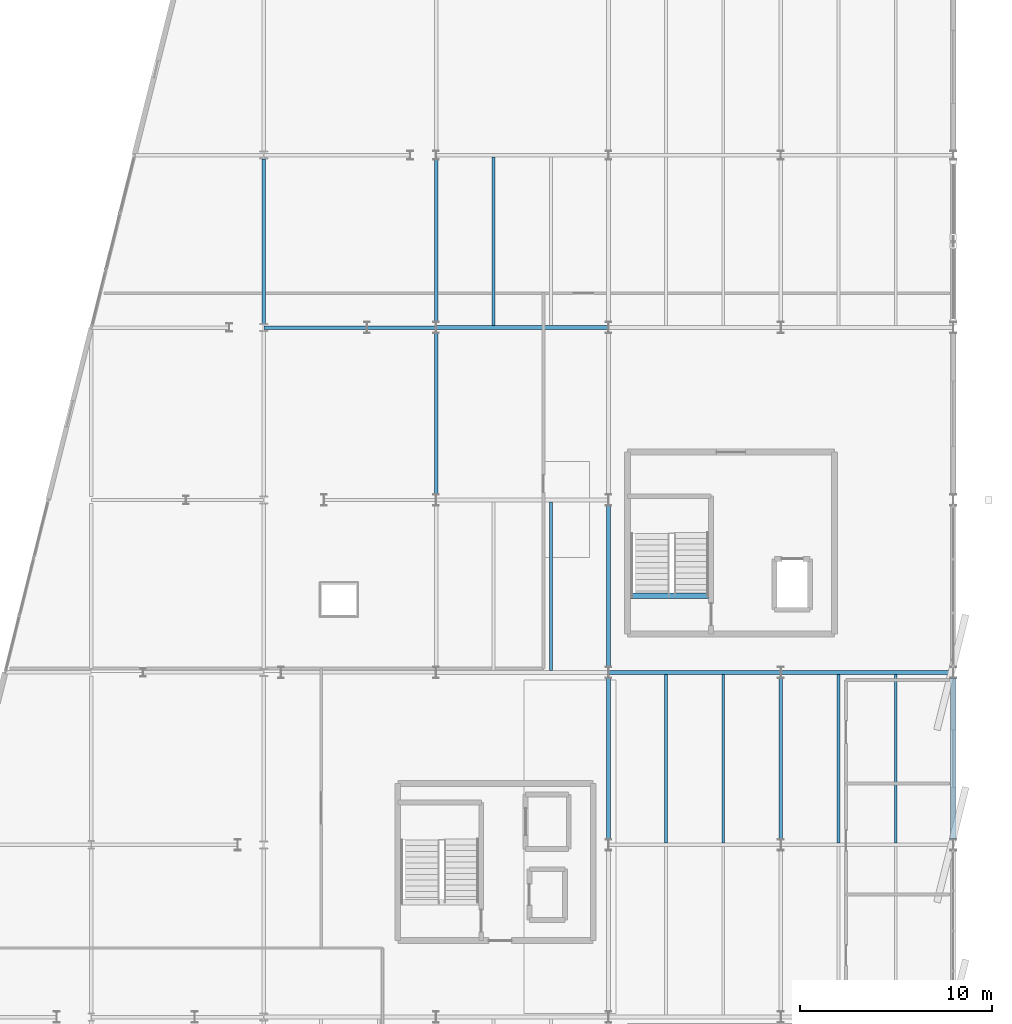
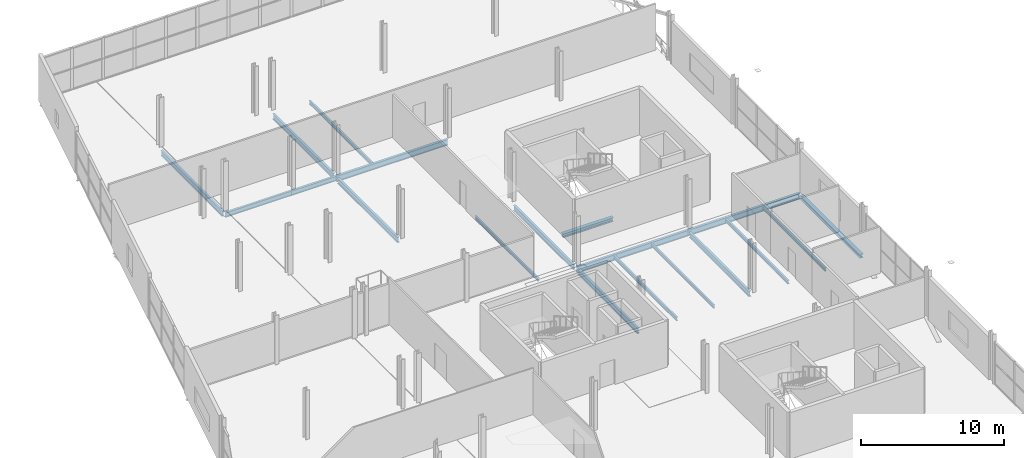
# One storey, part 56 of 88: 19 beams.
"""IFC4 building model written with IfcOpenShell, lengths in metres."""

from ifc_helpers import new_model, si_unit, direction, frame, origin, origin_2d, place, context, subcontext, project, spatial, i_section, extrude, material, material_profile, profile_set, type_object, element, save


model = new_model("IFC4")

# Units and contexts
model_context = context("Model", 3, precision=1e-05, world=origin(), true_north=direction((0.0, 1.0)))
body_context = subcontext(model_context, "Body", "Model", "MODEL_VIEW")
ifc_project = project(units=[si_unit("LENGTHUNIT", "METRE"), si_unit("AREAUNIT", "SQUARE_METRE"), si_unit("VOLUMEUNIT", "CUBIC_METRE"), si_unit("PLANEANGLEUNIT", "RADIAN"), si_unit("MASSUNIT", "GRAM", prefix="KILO")], contexts=[model_context])

# Site, building, storey
site_placement = place(None, origin())
site = spatial("IfcSite", under=ifc_project, at=site_placement, CompositionType="ELEMENT")
building_placement = place(site_placement, origin())
building = spatial("IfcBuilding", under=site, at=building_placement, Name="Deido Ridge Mobility Hub", CompositionType="ELEMENT")
storey_placement = place(building_placement, frame((0.0, 0.0, 16.800048828125)))
storey = spatial("IfcBuildingStorey", under=building, at=storey_placement, Name="L04", CompositionType="ELEMENT", Elevation=16.800048828125)

# Beams
ifc_material = material(Name="Steel S355J2 EN 10025-2", Category="steel")
ifc_material_profile_1 = material_profile(ifc_material, i_section(OverallWidth=0.300048828125, OverallDepth=0.330078125, WebThickness=0.009521484375, FlangeThickness=0.0166015625, FilletRadius=0.027099609375, at=origin_2d()), Name="HEA 340")
ifc_profile_set_1 = profile_set([ifc_material_profile_1], Name="Steel S355J2 EN 10025-2")
beam_type_1 = type_object("IfcBeamType", Name="BM-HEA340", PredefinedType="BEAM", material=ifc_profile_set_1)
beam_1_placement = place(storey_placement, frame((163.16259765625, 40.0, -0.43994140625), z_axis=(1.0, 0.0, 0.0), x_axis=(0.0, 1.0, 0.0)))
element("IfcBeam", 1, at=beam_1_placement, inside=storey, type_object=beam_type_1, Name="C2 stair landing trimmer beam B6", PredefinedType="BEAM", context=body_context, shape_type="SweptSolid", body=[
    extrude(i_section(OverallWidth=0.300048828125, OverallDepth=0.330078125, WebThickness=0.009521484375, FlangeThickness=0.0166015625, FilletRadius=0.027099609375, at=origin_2d()), origin(), (0.0, 0.0, 1.0), 4.072509765625),
])
ifc_material_profile_2 = material_profile(ifc_material, i_section(OverallWidth=0.179931640625, OverallDepth=0.39990234375, WebThickness=0.008544921875, FlangeThickness=0.013427734375, FilletRadius=0.02099609375, at=origin_2d()), Name="IPE 400")
ifc_profile_set_2 = profile_set([ifc_material_profile_2], Name="Steel S355J2 EN 10025-2")
beam_type_2 = type_object("IfcBeamType", Name="BM-IPE400", PredefinedType="BEAM", material=ifc_profile_set_2)
beam_2_placement = place(storey_placement, frame((144.0087890625, 54.0, -0.47509765625), z_axis=(1.0, 0.0, 0.0), x_axis=(0.0, 1.0, 0.0)))
element("IfcBeam", 2, at=beam_2_placement, inside=storey, type_object=beam_type_2, Name="Floor beam B5", PredefinedType="BEAM", context=body_context, shape_type="SweptSolid", body=[
    extrude(i_section(OverallWidth=0.179931640625, OverallDepth=0.39990234375, WebThickness=0.008544921875, FlangeThickness=0.013427734375, FilletRadius=0.02099609375, at=origin_2d()), origin(), (0.0, 0.0, 1.0), 5.383544921875),
])
beam_3_placement = place(storey_placement, frame((149.40771484375, 54.0, -0.47509765625), z_axis=(1.0, 0.0, 0.0), x_axis=(0.0, 1.0, 0.0)))
element("IfcBeam", 3, at=beam_3_placement, inside=storey, type_object=beam_type_2, Name="Floor beam B5", PredefinedType="BEAM", context=body_context, shape_type="SweptSolid", body=[
    extrude(i_section(OverallWidth=0.179931640625, OverallDepth=0.39990234375, WebThickness=0.008544921875, FlangeThickness=0.013427734375, FilletRadius=0.02099609375, at=origin_2d()), origin(), (0.0, 0.0, 1.0), 3.58447265625),
])
ifc_material_profile_3 = material_profile(ifc_material, i_section(OverallWidth=0.18994140625, OverallDepth=0.449951171875, WebThickness=0.009521484375, FlangeThickness=0.0146484375, FilletRadius=0.02099609375, at=origin_2d()), Name="IPE 450")
ifc_profile_set_3 = profile_set([ifc_material_profile_3], Name="Steel S355J2 EN 10025-2")
beam_type_3 = type_object("IfcBeamType", Name="BM-IPE450", PredefinedType="BEAM", material=ifc_profile_set_3)
beam_4_placement = place(storey_placement, frame((144.0, 54.196533203125, -0.5), z_axis=(0.0, 1.0, 0.0), x_axis=(-1.0, 0.0, 0.0)))
element("IfcBeam", 4, at=beam_4_placement, inside=storey, type_object=beam_type_3, Name="Floor beam B4", PredefinedType="BEAM", context=body_context, shape_type="SweptSolid", body=[
    extrude(i_section(OverallWidth=0.18994140625, OverallDepth=0.449951171875, WebThickness=0.009521484375, FlangeThickness=0.0146484375, FilletRadius=0.02099609375, at=origin_2d()), origin(), (0.0, 0.0, 1.0), 8.60693359375),
])
beam_5_placement = place(storey_placement, frame((153.0, 45.300048828125, -0.5), z_axis=(0.0, 1.0, 0.0), x_axis=(-1.0, 0.0, 0.0)))
element("IfcBeam", 5, at=beam_5_placement, inside=storey, type_object=beam_type_3, Name="Floor beam B4", PredefinedType="BEAM", context=body_context, shape_type="SweptSolid", body=[
    extrude(i_section(OverallWidth=0.18994140625, OverallDepth=0.449951171875, WebThickness=0.009521484375, FlangeThickness=0.0146484375, FilletRadius=0.02099609375, at=origin_2d()), origin(), (0.0, 0.0, 1.0), 8.39990234375),
])
beam_6_placement = place(storey_placement, frame((153.0, 54.300048828125, -0.5), z_axis=(0.0, 1.0, 0.0), x_axis=(-1.0, 0.0, 0.0)))
element("IfcBeam", 6, at=beam_6_placement, inside=storey, type_object=beam_type_3, Name="Floor beam B4", PredefinedType="BEAM", context=body_context, shape_type="SweptSolid", body=[
    extrude(i_section(OverallWidth=0.18994140625, OverallDepth=0.449951171875, WebThickness=0.009521484375, FlangeThickness=0.0146484375, FilletRadius=0.02099609375, at=origin_2d()), origin(), (0.0, 0.0, 1.0), 8.474853515625),
])
for number, where, z_axis, x_axis, name in (
    (7, (162.0, 27.300048828125, -0.5), (0.0, 1.0, 0.0), (-1.0, 0.0, 0.0), "Floor beam B4"),
    (8, (162.0, 36.300048828125, -0.5), (0.0, 1.0, 0.0), (-1.0, 0.0, 0.0), "Floor beam B4"),
    (9, (171.0, 27.300048828125, -0.5), (0.0, 1.0, 0.0), (-1.0, 0.0, 0.0), "Floor beam B4"),
):
    element("IfcBeam", number, at=place(storey_placement, frame(where, z_axis=z_axis, x_axis=x_axis)), inside=storey, type_object=beam_type_3, Name=name, PredefinedType="BEAM", context=body_context, shape_type="SweptSolid", body=[
        extrude(i_section(OverallWidth=0.18994140625, OverallDepth=0.449951171875, WebThickness=0.009521484375, FlangeThickness=0.0146484375, FilletRadius=0.02099609375, at=origin_2d()), origin(), (0.0, 0.0, 1.0), 8.39990234375),
    ])
ifc_material_profile_4 = material_profile(ifc_material, i_section(OverallWidth=0.199951171875, OverallDepth=0.5, WebThickness=0.01025390625, FlangeThickness=0.01611328125, FilletRadius=0.02099609375, at=origin_2d()), Name="IPE 500")
ifc_profile_set_4 = profile_set([ifc_material_profile_4], Name="Steel S355J2 EN 10025-2")
beam_type_4 = type_object("IfcBeamType", Name="BM-IPE500", PredefinedType="BEAM", material=ifc_profile_set_4)
for number, where, z_axis, x_axis, name in (
    (10, (162.0078125, 36.0, -0.525146484375), (1.0, 0.0, 0.0), (0.0, 1.0, 0.0), "Floor beam B3"),
    (11, (171.0078125, 36.0, -0.525146484375), (1.0, 0.0, 0.0), (0.0, 1.0, 0.0), "Floor beam B3"),
    (12, (153.0078125, 54.0, -0.525146484375), (1.0, 0.0, 0.0), (0.0, 1.0, 0.0), "Floor beam B3"),
):
    element("IfcBeam", number, at=place(storey_placement, frame(where, z_axis=z_axis, x_axis=x_axis)), inside=storey, type_object=beam_type_4, Name=name, PredefinedType="BEAM", context=body_context, shape_type="SweptSolid", body=[
        extrude(i_section(OverallWidth=0.199951171875, OverallDepth=0.5, WebThickness=0.01025390625, FlangeThickness=0.01611328125, FilletRadius=0.02099609375, at=origin_2d()), origin(), (0.0, 0.0, 1.0), 8.984375),
    ])
ifc_material_profile_5 = material_profile(ifc_material, i_section(OverallWidth=0.135009765625, OverallDepth=0.27001953125, WebThickness=0.006591796875, FlangeThickness=0.01025390625, FilletRadius=0.014892578125, at=origin_2d()), Name="IPE 270")
ifc_profile_set_5 = profile_set([ifc_material_profile_5], Name="Steel S355J2 EN 10025-2")
beam_type_5 = type_object("IfcBeamType", Name="JST-IPE270", PredefinedType="JOIST", material=ifc_profile_set_5)
for number, where, z_axis, x_axis, name in (
    (13, (168.0, 27.10009765625, -0.41015625), (0.0, 1.0, 0.0), (-1.0, 0.0, 0.0), "Composite joist J4"),
    (14, (177.0, 27.10009765625, -0.41015625), (0.0, 1.0, 0.0), (-1.0, 0.0, 0.0), "Composite joist J4"),
    (15, (159.0, 36.10009765625, -0.41015625), (0.0, 1.0, 0.0), (-1.0, 0.0, 0.0), "Composite joist J4"),
):
    element("IfcBeam", number, at=place(storey_placement, frame(where, z_axis=z_axis, x_axis=x_axis)), inside=storey, type_object=beam_type_5, Name=name, PredefinedType="JOIST", context=body_context, shape_type="SweptSolid", body=[
        extrude(i_section(OverallWidth=0.135009765625, OverallDepth=0.27001953125, WebThickness=0.006591796875, FlangeThickness=0.01025390625, FilletRadius=0.014892578125, at=origin_2d()), origin(), (0.0, 0.0, 1.0), 8.7998046875),
    ])
ifc_material_profile_6 = material_profile(ifc_material, i_section(OverallWidth=0.14990234375, OverallDepth=0.300048828125, WebThickness=0.007080078125, FlangeThickness=0.0107421875, FilletRadius=0.014892578125, at=origin_2d()), Name="IPE 300")
ifc_profile_set_6 = profile_set([ifc_material_profile_6], Name="Steel S355J2 EN 10025-2")
beam_type_6 = type_object("IfcBeamType", Name="JST-IPE300", PredefinedType="JOIST", material=ifc_profile_set_6)
for number, where, z_axis, x_axis, name in (
    (16, (165.0, 27.10009765625, -0.425048828125), (0.0, 1.0, 0.0), (-1.0, 0.0, 0.0), "Composite joist J3"),
    (17, (174.0, 27.10009765625, -0.425048828125), (0.0, 1.0, 0.0), (-1.0, 0.0, 0.0), "Composite joist J3"),
    (18, (156.0, 54.10009765625, -0.425048828125), (0.0, 1.0, 0.0), (-1.0, 0.0, 0.0), "Composite joist J3"),
):
    element("IfcBeam", number, at=place(storey_placement, frame(where, z_axis=z_axis, x_axis=x_axis)), inside=storey, type_object=beam_type_6, Name=name, PredefinedType="JOIST", context=body_context, shape_type="SweptSolid", body=[
        extrude(i_section(OverallWidth=0.14990234375, OverallDepth=0.300048828125, WebThickness=0.007080078125, FlangeThickness=0.0107421875, FilletRadius=0.014892578125, at=origin_2d()), origin(), (0.0, 0.0, 1.0), 8.7998046875),
    ])
ifc_material_profile_7 = material_profile(ifc_material, i_section(OverallWidth=0.300048828125, OverallDepth=0.300048828125, WebThickness=0.010986328125, FlangeThickness=0.01904296875, FilletRadius=0.027099609375, at=origin_2d()), Name="HEB 300")
ifc_profile_set_7 = profile_set([ifc_material_profile_7], Name="Steel S355J2 EN 10025-2")
beam_type_7 = type_object("IfcBeamType", Name="SPD-HEB300", PredefinedType="SPANDREL", material=ifc_profile_set_7)
beam_7_placement = place(storey_placement, frame((180.0, 27.300048828125, -0.425048828125), z_axis=(0.0, 1.0, 0.0), x_axis=(-1.0, 0.0, 0.0)))
element("IfcBeam", 19, at=beam_7_placement, inside=storey, type_object=beam_type_7, Name="Floor beam SP1", PredefinedType="SPANDREL", context=body_context, shape_type="SweptSolid", body=[
    extrude(i_section(OverallWidth=0.300048828125, OverallDepth=0.300048828125, WebThickness=0.010986328125, FlangeThickness=0.01904296875, FilletRadius=0.027099609375, at=origin_2d()), origin(), (0.0, 0.0, 1.0), 8.39990234375),
])

save(model, "model.ifc")
